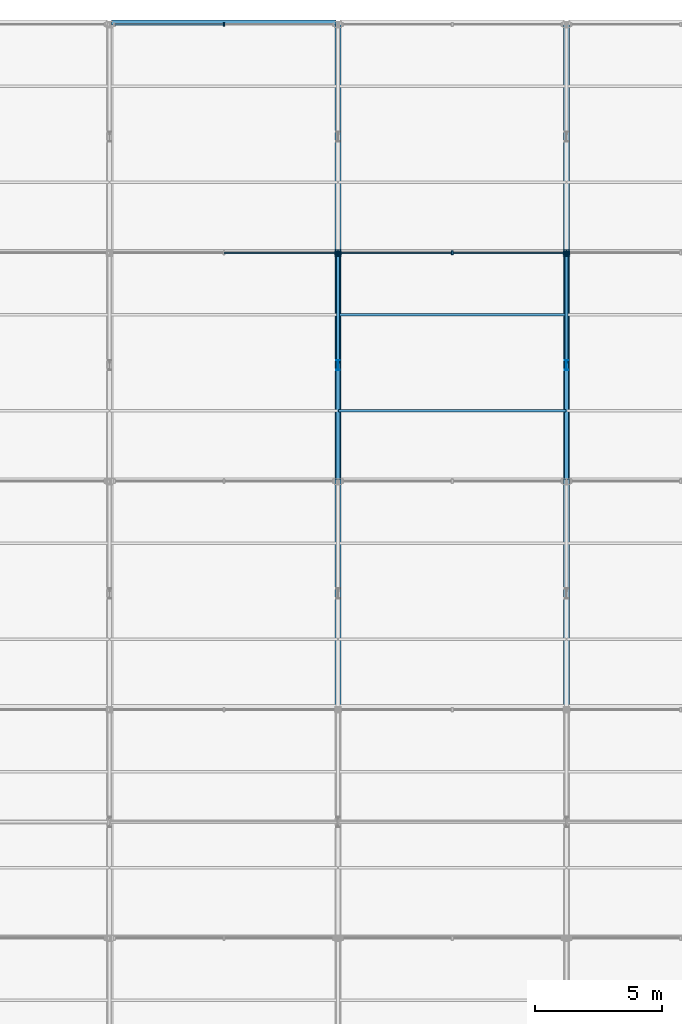
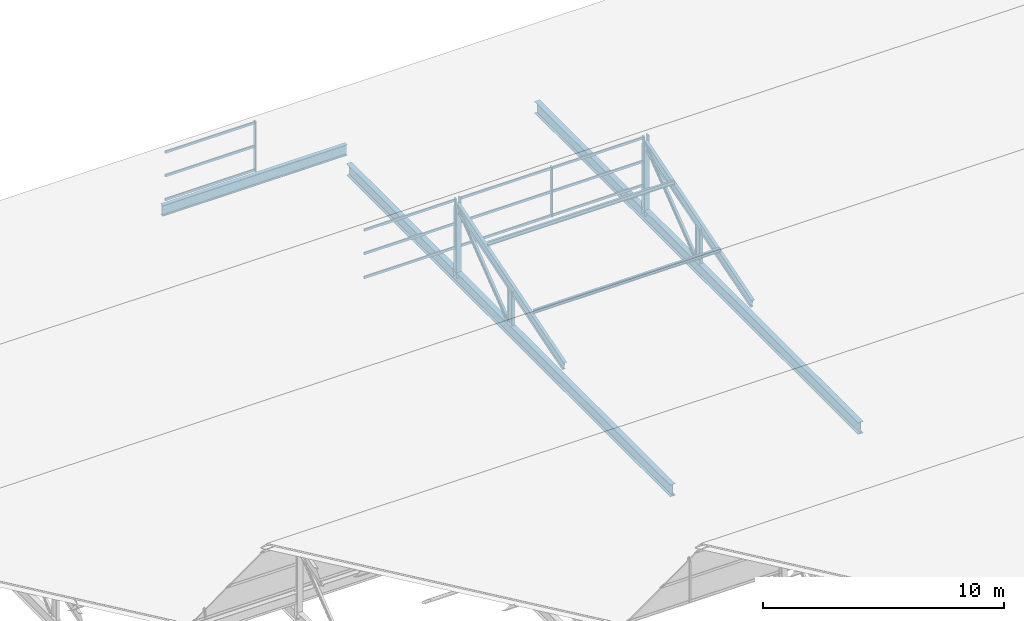
# One storey, part 101 of 163: 28 members, 3 beams, 4 elements without a shape of their own.
"""IFC4 building model written with IfcOpenShell, lengths in metres."""

from ifc_helpers import new_model, si_unit, direction, frame, origin, origin_2d, place, context, subcontext, project, spatial, rectangle, i_section, extrude, material, material_profile, profile_set, type_object, element, aggregate, save


model = new_model("IFC4")

# Units and contexts
model_context = context("Model", 3, precision=1e-05, world=origin(), true_north=direction((0.0, 1.0)))
body_context = subcontext(model_context, "Body", "Model", "MODEL_VIEW")
ifc_project = project(units=[si_unit("LENGTHUNIT", "METRE"), si_unit("AREAUNIT", "SQUARE_METRE"), si_unit("VOLUMEUNIT", "CUBIC_METRE"), si_unit("PLANEANGLEUNIT", "RADIAN"), si_unit("MASSUNIT", "GRAM", prefix="KILO")], contexts=[model_context])

# Site, building, storey
site_placement = place(None, origin())
site = spatial("IfcSite", under=ifc_project, at=site_placement, CompositionType="ELEMENT")
building_placement = place(site_placement, origin())
building = spatial("IfcBuilding", under=site, at=building_placement, Name="Tharagai Park Tramway Depot", CompositionType="ELEMENT")
storey_placement = place(building_placement, frame((0.0, 0.0, 8.39990234375)))
storey = spatial("IfcBuildingStorey", under=building, at=storey_placement, Name="L02", CompositionType="ELEMENT", Elevation=8.39990234375)

# Beams
ifc_material_1 = material(Name="Steel E350", Category="steel")
ifc_material_profile_1 = material_profile(ifc_material_1, i_section(OverallWidth=0.25, OverallDepth=0.60009765625, WebThickness=0.01171875, FlangeThickness=0.023681640625, FilletRadius=0.01708984375, at=origin_2d()), Name="ISWB 600")
ifc_profile_set_1 = profile_set([ifc_material_profile_1], Name="Steel E350")
beam_type_1 = type_object("IfcBeamType", Name="BM-01", PredefinedType="BEAM", material=ifc_profile_set_1)
for number, where, z_axis, x_axis, name in (
    (1, (99.0, 117.080078125, -0.25), (0.0, 1.0, 0.0), (-1.0, 0.0, 0.0), "Sawtooth Truss Bottom Tie Girder BM-01"),
    (2, (108.0, 117.080078125, -0.25), (0.0, 1.0, 0.0), (-1.0, 0.0, 0.0), "Sawtooth Truss Bottom Tie Girder BM-01"),
):
    element("IfcBeam", number, at=place(storey_placement, frame(where, z_axis=z_axis, x_axis=x_axis)), inside=storey, type_object=beam_type_1, Name=name, PredefinedType="BEAM", context=body_context, shape_type="SweptSolid", body=[
        extrude(i_section(OverallWidth=0.25, OverallDepth=0.60009765625, WebThickness=0.01171875, FlangeThickness=0.023681640625, FilletRadius=0.01708984375, at=origin_2d()), origin(), (0.0, 0.0, 1.0), 26.83984375),
    ])
ifc_material_profile_2 = material_profile(ifc_material_1, i_section(OverallWidth=0.18994140625, OverallDepth=0.550048828125, WebThickness=0.01123046875, FlangeThickness=0.019287109375, FilletRadius=0.01806640625, at=origin_2d()), Name="ISMB 550")
ifc_profile_set_2 = profile_set([ifc_material_profile_2], Name="Steel E350")
beam_type_2 = type_object("IfcBeamType", Name="BM-09", PredefinedType="BEAM", material=ifc_profile_set_2)
beam_placement = place(storey_placement, frame((90.080078125, 144.0, 0.72509765625), z_axis=(1.0, 0.0, 0.0), x_axis=(0.0, 1.0, 0.0)))
element("IfcBeam", 3, at=beam_placement, inside=storey, type_object=beam_type_2, Name="Sawtooth Valley Girder BM-09", PredefinedType="BEAM", context=body_context, shape_type="SweptSolid", body=[
    extrude(i_section(OverallWidth=0.18994140625, OverallDepth=0.550048828125, WebThickness=0.01123046875, FlangeThickness=0.019287109375, FilletRadius=0.01806640625, at=origin_2d()), origin(), (0.0, 0.0, 1.0), 8.83984375),
])

# Members
ifc_material_profile_3 = material_profile(ifc_material_1, i_section(OverallWidth=0.25, OverallDepth=0.25, WebThickness=0.0087890625, FlangeThickness=0.009765625, FilletRadius=0.010009765625, at=origin_2d()), Name="ISHB 250")
ifc_profile_set_3 = profile_set([ifc_material_profile_3], Name="Steel E350")
member_type_1 = type_object("IfcMemberType", Name="BR-01", PredefinedType="BRACE", material=ifc_profile_set_3)
for number, where, z_axis, x_axis, name in (
    (4, (99.0, 134.919921875, -0.25), (0.0, 0.0, 1.0), (1.0, 0.0, 0.0), "Sawtooth North Vertical Post BR-01"),
    (5, (108.0, 134.919921875, -0.25), (0.0, 0.0, 1.0), (1.0, 0.0, 0.0), "Sawtooth North Vertical Post BR-01"),
):
    element("IfcMember", number, at=place(storey_placement, frame(where, z_axis=z_axis, x_axis=x_axis)), inside=storey, type_object=member_type_1, Name=name, PredefinedType="BRACE", context=body_context, shape_type="SweptSolid", body=[
        extrude(i_section(OverallWidth=0.25, OverallDepth=0.25, WebThickness=0.0087890625, FlangeThickness=0.009765625, FilletRadius=0.010009765625, at=origin_2d()), origin(), (0.0, 0.0, 1.0), 3.55517578125),
    ])
ifc_material_profile_4 = material_profile(ifc_material_1, i_section(OverallWidth=0.110107421875, OverallDepth=0.22509765625, WebThickness=0.006591796875, FlangeThickness=0.01171875, FilletRadius=0.011962890625, at=origin_2d()), Name="ISMB 225")
ifc_profile_set_4 = profile_set([ifc_material_profile_4], Name="Steel E350")
member_type_2 = type_object("IfcMemberType", Name="BR-04", PredefinedType="BRACE", material=ifc_profile_set_4)
for number, where, z_axis, x_axis, name in (
    (6, (99.0, 130.64990234375, 0.0), (0.0, 0.790781596, 0.612098413188), (-1.0, 0.0, 0.0), "Sawtooth Truss Web Diagonal BR-04"),
    (7, (108.0, 130.64990234375, 0.0), (0.0, 0.790781596, 0.612098413188), (-1.0, 0.0, 0.0), "Sawtooth Truss Web Diagonal BR-04"),
):
    element("IfcMember", number, at=place(storey_placement, frame(where, z_axis=z_axis, x_axis=x_axis)), inside=storey, type_object=member_type_2, Name=name, PredefinedType="BRACE", context=body_context, shape_type="SweptSolid", body=[
        extrude(i_section(OverallWidth=0.110107421875, OverallDepth=0.22509765625, WebThickness=0.006591796875, FlangeThickness=0.01171875, FilletRadius=0.011962890625, at=origin_2d()), origin(), (0.0, 0.0, 1.0), 5.399658203125),
    ])

# Curtain wall, members
ifc_material_2 = material(Name="Anodised aluminium", Category="aluminium")
curtain_wall_type_1 = type_object("IfcCurtainWallType", Name="CW-04", PredefinedType="NOTDEFINED", material=ifc_material_2)
curtain_wall_1_placement = place(storey_placement, origin())
curtain_wall_1 = element("IfcCurtainWall", 8, at=curtain_wall_1_placement, inside=storey, type_object=curtain_wall_type_1, Name="Sawtooth North-Light Clerestory CW-04", PredefinedType="NOTDEFINED")
ifc_material_profile_5 = material_profile(ifc_material_2, rectangle(XDim=0.06494140625, YDim=0.1201171875, at=origin_2d()), Name="ALU 65x120")
ifc_profile_set_5 = profile_set([ifc_material_profile_5], Name="Anodised aluminium")
member_type_3 = type_object("IfcMemberType", Name="CM-01", PredefinedType="USERDEFINED", material=ifc_profile_set_5)
member_1_placement = place(storey_placement, frame((94.514892578125, 134.919921875, 1.26513671875), z_axis=(1.0, 0.0, 0.0), x_axis=(0.0, 1.0, 0.0)))
member_1 = element("IfcMember", 9, at=member_1_placement, type_object=member_type_3, Name="Sawtooth North-Light Clerestory Transom 2.1", ObjectType="TRANSOM", PredefinedType="USERDEFINED", context=body_context, shape_type="SweptSolid", body=[
    extrude(rectangle(XDim=0.06494140625, YDim=0.1201171875, at=origin_2d()), origin(), (0.0, 0.0, 1.0), 4.3701171875),
])
member_2_placement = place(storey_placement, frame((94.514892578125, 134.919921875, 2.4736328125), z_axis=(1.0, 0.0, 0.0), x_axis=(0.0, 1.0, 0.0)))
member_2 = element("IfcMember", 10, at=member_2_placement, type_object=member_type_3, Name="Sawtooth North-Light Clerestory Transom 2.2", ObjectType="TRANSOM", PredefinedType="USERDEFINED", context=body_context, shape_type="SweptSolid", body=[
    extrude(rectangle(XDim=0.06494140625, YDim=0.1201171875, at=origin_2d()), origin(), (0.0, 0.0, 1.0), 4.3701171875),
])
member_3_placement = place(storey_placement, frame((94.514892578125, 134.919921875, 3.662353515625), z_axis=(1.0, 0.0, 0.0), x_axis=(0.0, 1.0, 0.0)))
member_3 = element("IfcMember", 11, at=member_3_placement, type_object=member_type_3, Name="Sawtooth North-Light Clerestory Transom 2.3", ObjectType="TRANSOM", PredefinedType="USERDEFINED", context=body_context, shape_type="SweptSolid", body=[
    extrude(rectangle(XDim=0.06494140625, YDim=0.1201171875, at=origin_2d()), origin(), (0.0, 0.0, 1.0), 4.3701171875),
])

curtain_wall_2_placement = place(storey_placement, origin())
curtain_wall_2 = element("IfcCurtainWall", 12, at=curtain_wall_2_placement, inside=storey, type_object=curtain_wall_type_1, Name="Sawtooth North-Light Clerestory CW-04", PredefinedType="NOTDEFINED")
member_4_placement = place(storey_placement, frame((99.114990234375, 134.919921875, 1.26513671875), z_axis=(1.0, 0.0, 0.0), x_axis=(0.0, 1.0, 0.0)))
member_4 = element("IfcMember", 13, at=member_4_placement, type_object=member_type_3, Name="Sawtooth North-Light Clerestory Transom 1.1", ObjectType="TRANSOM", PredefinedType="USERDEFINED", context=body_context, shape_type="SweptSolid", body=[
    extrude(rectangle(XDim=0.06494140625, YDim=0.1201171875, at=origin_2d()), origin(), (0.0, 0.0, 1.0), 4.3701171875),
])
member_5_placement = place(storey_placement, frame((99.114990234375, 134.919921875, 2.4736328125), z_axis=(1.0, 0.0, 0.0), x_axis=(0.0, 1.0, 0.0)))
member_5 = element("IfcMember", 14, at=member_5_placement, type_object=member_type_3, Name="Sawtooth North-Light Clerestory Transom 1.2", ObjectType="TRANSOM", PredefinedType="USERDEFINED", context=body_context, shape_type="SweptSolid", body=[
    extrude(rectangle(XDim=0.06494140625, YDim=0.1201171875, at=origin_2d()), origin(), (0.0, 0.0, 1.0), 4.3701171875),
])
member_6_placement = place(storey_placement, frame((99.114990234375, 134.919921875, 3.662353515625), z_axis=(1.0, 0.0, 0.0), x_axis=(0.0, 1.0, 0.0)))
member_6 = element("IfcMember", 15, at=member_6_placement, type_object=member_type_3, Name="Sawtooth North-Light Clerestory Transom 1.3", ObjectType="TRANSOM", PredefinedType="USERDEFINED", context=body_context, shape_type="SweptSolid", body=[
    extrude(rectangle(XDim=0.06494140625, YDim=0.1201171875, at=origin_2d()), origin(), (0.0, 0.0, 1.0), 4.3701171875),
])
member_7_placement = place(storey_placement, frame((103.514892578125, 134.919921875, 1.26513671875), z_axis=(1.0, 0.0, 0.0), x_axis=(0.0, 1.0, 0.0)))
member_7 = element("IfcMember", 16, at=member_7_placement, type_object=member_type_3, Name="Sawtooth North-Light Clerestory Transom 2.1", ObjectType="TRANSOM", PredefinedType="USERDEFINED", context=body_context, shape_type="SweptSolid", body=[
    extrude(rectangle(XDim=0.06494140625, YDim=0.1201171875, at=origin_2d()), origin(), (0.0, 0.0, 1.0), 4.3701171875),
])
member_8_placement = place(storey_placement, frame((103.514892578125, 134.919921875, 2.4736328125), z_axis=(1.0, 0.0, 0.0), x_axis=(0.0, 1.0, 0.0)))
member_8 = element("IfcMember", 17, at=member_8_placement, type_object=member_type_3, Name="Sawtooth North-Light Clerestory Transom 2.2", ObjectType="TRANSOM", PredefinedType="USERDEFINED", context=body_context, shape_type="SweptSolid", body=[
    extrude(rectangle(XDim=0.06494140625, YDim=0.1201171875, at=origin_2d()), origin(), (0.0, 0.0, 1.0), 4.3701171875),
])
member_9_placement = place(storey_placement, frame((103.514892578125, 134.919921875, 3.662353515625), z_axis=(1.0, 0.0, 0.0), x_axis=(0.0, 1.0, 0.0)))
member_9 = element("IfcMember", 18, at=member_9_placement, type_object=member_type_3, Name="Sawtooth North-Light Clerestory Transom 2.3", ObjectType="TRANSOM", PredefinedType="USERDEFINED", context=body_context, shape_type="SweptSolid", body=[
    extrude(rectangle(XDim=0.06494140625, YDim=0.1201171875, at=origin_2d()), origin(), (0.0, 0.0, 1.0), 4.3701171875),
])

curtain_wall_type_2 = type_object("IfcCurtainWallType", Name="CW-03", PredefinedType="NOTDEFINED", material=ifc_material_2)
curtain_wall_3_placement = place(storey_placement, origin())
curtain_wall_3 = element("IfcCurtainWall", 19, at=curtain_wall_3_placement, inside=storey, type_object=curtain_wall_type_2, Name="Sawtooth North-Light Clerestory CW-03", PredefinedType="NOTDEFINED")
member_10_placement = place(storey_placement, frame((90.195068359375, 143.919921875, 1.26513671875), z_axis=(1.0, 0.0, 0.0), x_axis=(0.0, 1.0, 0.0)))
member_10 = element("IfcMember", 20, at=member_10_placement, type_object=member_type_3, Name="Sawtooth North-Light Clerestory Transom 1.1", ObjectType="TRANSOM", PredefinedType="USERDEFINED", context=body_context, shape_type="SweptSolid", body=[
    extrude(rectangle(XDim=0.06494140625, YDim=0.1201171875, at=origin_2d()), origin(), (0.0, 0.0, 1.0), 4.2900390625),
])
member_11_placement = place(storey_placement, frame((90.195068359375, 143.919921875, 2.4736328125), z_axis=(1.0, 0.0, 0.0), x_axis=(0.0, 1.0, 0.0)))
member_11 = element("IfcMember", 21, at=member_11_placement, type_object=member_type_3, Name="Sawtooth North-Light Clerestory Transom 1.2", ObjectType="TRANSOM", PredefinedType="USERDEFINED", context=body_context, shape_type="SweptSolid", body=[
    extrude(rectangle(XDim=0.06494140625, YDim=0.1201171875, at=origin_2d()), origin(), (0.0, 0.0, 1.0), 4.2900390625),
])
member_12_placement = place(storey_placement, frame((90.195068359375, 143.919921875, 3.662353515625), z_axis=(1.0, 0.0, 0.0), x_axis=(0.0, 1.0, 0.0)))
member_12 = element("IfcMember", 22, at=member_12_placement, type_object=member_type_3, Name="Sawtooth North-Light Clerestory Transom 1.3", ObjectType="TRANSOM", PredefinedType="USERDEFINED", context=body_context, shape_type="SweptSolid", body=[
    extrude(rectangle(XDim=0.06494140625, YDim=0.1201171875, at=origin_2d()), origin(), (0.0, 0.0, 1.0), 4.2900390625),
])

# Member
ifc_material_profile_6 = material_profile(ifc_material_2, rectangle(XDim=0.06494140625, YDim=0.14990234375, at=origin_2d()), Name="ALU 65x150")
ifc_profile_set_6 = profile_set([ifc_material_profile_6], Name="Anodised aluminium")
member_type_4 = type_object("IfcMemberType", Name="CM-03", PredefinedType="MULLION", material=ifc_profile_set_6)
member_13_placement = place(storey_placement, frame((98.89990234375, 134.919921875, 1.2001953125), z_axis=(0.0, 0.0, 1.0), x_axis=(1.0, 0.0, 0.0)))
member_13 = element("IfcMember", 23, at=member_13_placement, type_object=member_type_4, Name="Sawtooth North-Light Clerestory Mullion 3", PredefinedType="MULLION", context=body_context, shape_type="SweptSolid", body=[
    extrude(rectangle(XDim=0.06494140625, YDim=0.14990234375, at=origin_2d()), origin(), (0.0, 0.0, 1.0), 2.547119140625),
])

aggregate(curtain_wall_1, [member_13, member_1, member_2, member_3])

member_14_placement = place(storey_placement, frame((99.10009765625, 134.919921875, 1.2001953125), z_axis=(0.0, 0.0, 1.0), x_axis=(1.0, 0.0, 0.0)))
member_14 = element("IfcMember", 24, at=member_14_placement, type_object=member_type_4, Name="Sawtooth North-Light Clerestory Mullion 1", PredefinedType="MULLION", context=body_context, shape_type="SweptSolid", body=[
    extrude(rectangle(XDim=0.06494140625, YDim=0.14990234375, at=origin_2d()), origin(), (0.0, 0.0, 1.0), 2.547119140625),
])

member_15_placement = place(storey_placement, frame((103.5, 134.919921875, 1.2001953125), z_axis=(0.0, 0.0, 1.0), x_axis=(1.0, 0.0, 0.0)))
member_15 = element("IfcMember", 25, at=member_15_placement, type_object=member_type_4, Name="Sawtooth North-Light Clerestory Mullion 2", PredefinedType="MULLION", context=body_context, shape_type="SweptSolid", body=[
    extrude(rectangle(XDim=0.06494140625, YDim=0.14990234375, at=origin_2d()), origin(), (0.0, 0.0, 1.0), 2.547119140625),
])

member_16_placement = place(storey_placement, frame((107.89990234375, 134.919921875, 1.2001953125), z_axis=(0.0, 0.0, 1.0), x_axis=(1.0, 0.0, 0.0)))
member_16 = element("IfcMember", 26, at=member_16_placement, type_object=member_type_4, Name="Sawtooth North-Light Clerestory Mullion 3", PredefinedType="MULLION", context=body_context, shape_type="SweptSolid", body=[
    extrude(rectangle(XDim=0.06494140625, YDim=0.14990234375, at=origin_2d()), origin(), (0.0, 0.0, 1.0), 2.547119140625),
])

aggregate(curtain_wall_2, [member_14, member_15, member_16, member_4, member_5, member_6, member_7, member_8, member_9])

# Curtain wall, member
curtain_wall_4_placement = place(storey_placement, origin())
curtain_wall_4 = element("IfcCurtainWall", 27, at=curtain_wall_4_placement, inside=storey, type_object=curtain_wall_type_1, Name="Sawtooth North-Light Clerestory CW-04", PredefinedType="NOTDEFINED")
member_17_placement = place(storey_placement, frame((108.10009765625, 134.919921875, 1.2001953125), z_axis=(0.0, 0.0, 1.0), x_axis=(1.0, 0.0, 0.0)))
member_17 = element("IfcMember", 28, at=member_17_placement, type_object=member_type_4, Name="Sawtooth North-Light Clerestory Mullion 1", PredefinedType="MULLION", context=body_context, shape_type="SweptSolid", body=[
    extrude(rectangle(XDim=0.06494140625, YDim=0.14990234375, at=origin_2d()), origin(), (0.0, 0.0, 1.0), 2.547119140625),
])
aggregate(curtain_wall_4, [member_17])

# Member
member_18_placement = place(storey_placement, frame((94.5, 143.919921875, 1.2001953125), z_axis=(0.0, 0.0, 1.0), x_axis=(1.0, 0.0, 0.0)))
member_18 = element("IfcMember", 29, at=member_18_placement, type_object=member_type_4, Name="Sawtooth North-Light Clerestory Mullion 2", PredefinedType="MULLION", context=body_context, shape_type="SweptSolid", body=[
    extrude(rectangle(XDim=0.06494140625, YDim=0.14990234375, at=origin_2d()), origin(), (0.0, 0.0, 1.0), 2.547119140625),
])

aggregate(curtain_wall_3, [member_18, member_10, member_11, member_12])

# Members
ifc_material_3 = material(Name="Steel E250", Category="steel")
ifc_material_profile_7 = material_profile(ifc_material_3, i_section(OverallWidth=0.10009765625, OverallDepth=0.199951171875, WebThickness=0.005615234375, FlangeThickness=0.0107421875, FilletRadius=0.010986328125, at=origin_2d()), Name="ISMB 200")
ifc_profile_set_7 = profile_set([ifc_material_profile_7], Name="Steel E250")
member_type_5 = type_object("IfcMemberType", Name="PR-04", PredefinedType="PURLIN", material=ifc_profile_set_7)
for number, where, z_axis, x_axis, name in (
    (30, (99.02001953125, 128.699951171875, 1.733154296875), (1.0, 0.0, 0.0), (0.0, 1.0, 0.0), "Sawtooth Roof Purlin PR-04"),
    (31, (99.02001953125, 132.47998046875, 2.87451171875), (1.0, 0.0, 0.0), (0.0, 1.0, 0.0), "Sawtooth Roof Purlin PR-04"),
):
    element("IfcMember", number, at=place(storey_placement, frame(where, z_axis=z_axis, x_axis=x_axis)), inside=storey, type_object=member_type_5, Name=name, PredefinedType="PURLIN", context=body_context, shape_type="SweptSolid", body=[
        extrude(i_section(OverallWidth=0.10009765625, OverallDepth=0.199951171875, WebThickness=0.005615234375, FlangeThickness=0.0107421875, FilletRadius=0.010986328125, at=origin_2d()), origin(), (0.0, 0.0, 1.0), 8.9599609375),
    ])
ifc_material_profile_8 = material_profile(ifc_material_1, i_section(OverallWidth=0.14990234375, OverallDepth=0.449951171875, WebThickness=0.009521484375, FlangeThickness=0.017333984375, FilletRadius=0.014892578125, at=origin_2d()), Name="ISMB 450")
ifc_profile_set_8 = profile_set([ifc_material_profile_8], Name="Steel E350")
member_type_6 = type_object("IfcMemberType", Name="TC-05", PredefinedType="CHORD", material=ifc_profile_set_8)
for number, where, z_axis, x_axis, name in (
    (32, (99.0, 126.06005859375, 0.587890625), (0.0, 0.956231486327, 0.29261125159), (-1.0, 0.0, 0.0), "Sawtooth Top Chord TC-05"),
    (33, (108.0, 126.06005859375, 0.587890625), (0.0, 0.956231486327, 0.29261125159), (-1.0, 0.0, 0.0), "Sawtooth Top Chord TC-05"),
):
    element("IfcMember", number, at=place(storey_placement, frame(where, z_axis=z_axis, x_axis=x_axis)), inside=storey, type_object=member_type_6, Name=name, PredefinedType="CHORD", context=body_context, shape_type="SweptSolid", body=[
        extrude(i_section(OverallWidth=0.14990234375, OverallDepth=0.449951171875, WebThickness=0.009521484375, FlangeThickness=0.017333984375, FilletRadius=0.014892578125, at=origin_2d()), origin(), (0.0, 0.0, 1.0), 9.286376953125),
    ])
ifc_material_profile_9 = material_profile(ifc_material_1, i_section(OverallWidth=0.139892578125, OverallDepth=0.39990234375, WebThickness=0.0087890625, FlangeThickness=0.01611328125, FilletRadius=0.013916015625, at=origin_2d()), Name="ISMB 400")
ifc_profile_set_9 = profile_set([ifc_material_profile_9], Name="Steel E350")
member_type_7 = type_object("IfcMemberType", Name="TC-06", PredefinedType="CHORD", material=ifc_profile_set_9)
for number, where, z_axis, x_axis, name in (
    (34, (99.0, 130.5, -0.0498046875), (0.0, 0.0, 1.0), (1.0, 0.0, 0.0), "Sawtooth Mid-Tooth Strut TC-06"),
    (35, (108.0, 130.5, -0.0498046875), (0.0, 0.0, 1.0), (1.0, 0.0, 0.0), "Sawtooth Mid-Tooth Strut TC-06"),
):
    element("IfcMember", number, at=place(storey_placement, frame(where, z_axis=z_axis, x_axis=x_axis)), inside=storey, type_object=member_type_7, Name=name, PredefinedType="CHORD", context=body_context, shape_type="SweptSolid", body=[
        extrude(i_section(OverallWidth=0.139892578125, OverallDepth=0.39990234375, WebThickness=0.0087890625, FlangeThickness=0.01611328125, FilletRadius=0.013916015625, at=origin_2d()), origin(), (0.0, 0.0, 1.0), 1.846435546875),
    ])

save(model, "model.ifc")
